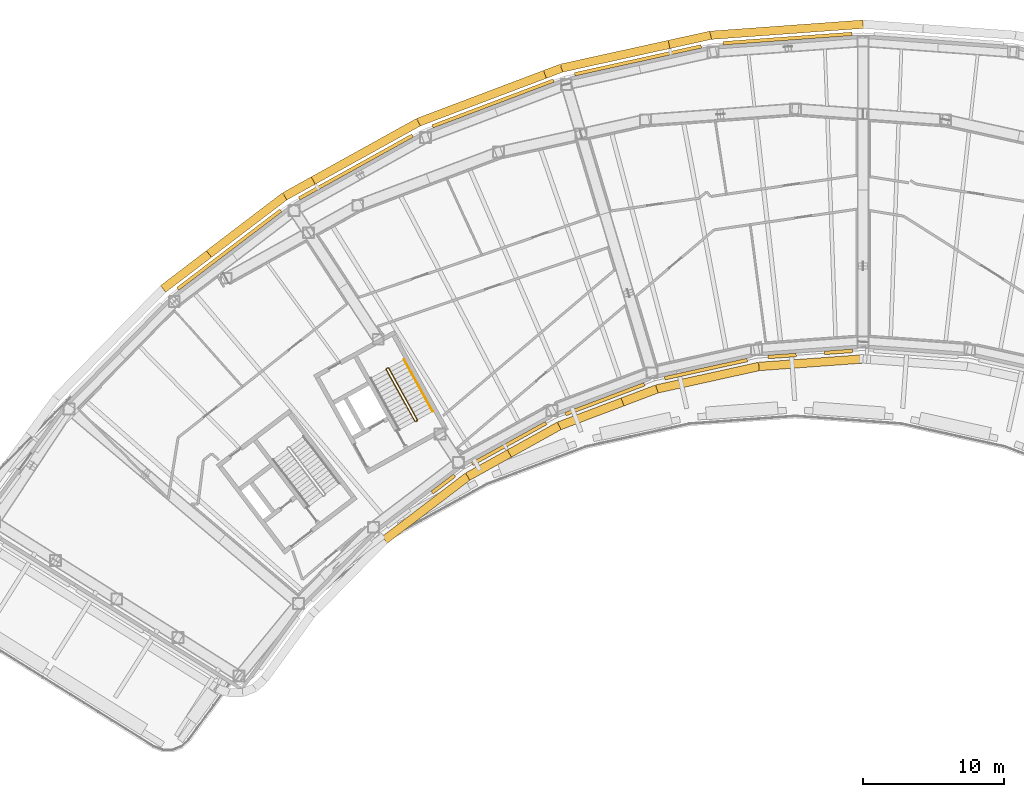
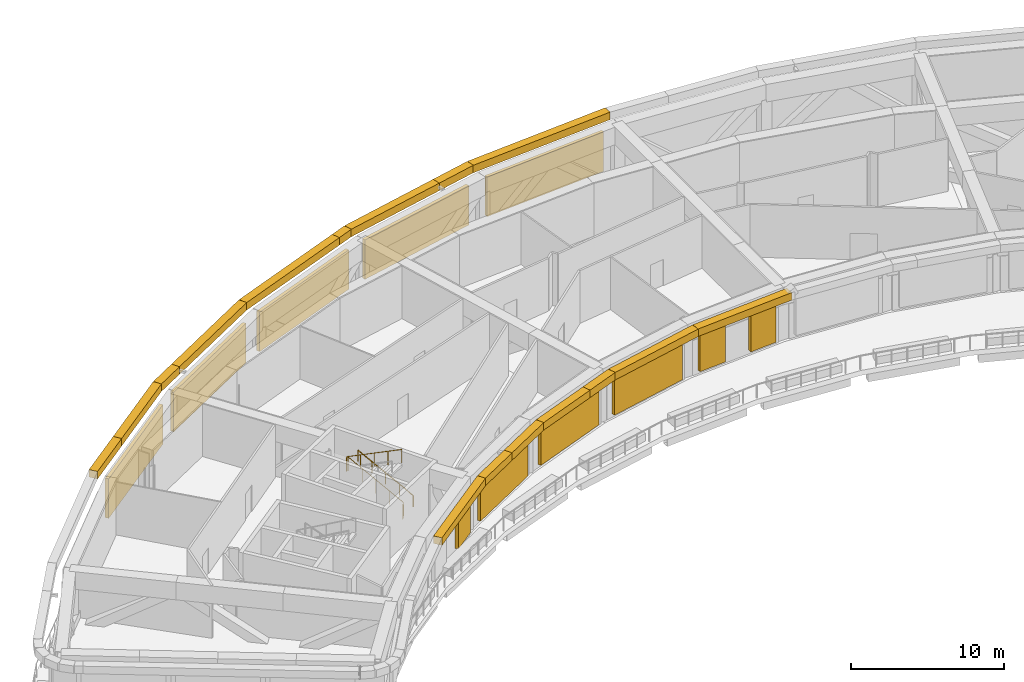
# One storey, part 21 of 25: 16 coverings, 11 shading devices, 2 railings.
"""IFC4 building model written with IfcOpenShell, lengths in metres."""

from ifc_helpers import new_model, si_unit, direction, frame, origin, origin_2d, place, context, subcontext, project, spatial, rectangle, circle, extrude, material, material_profile, profile_set, type_object, element, save


model = new_model("IFC4")

# Units and contexts
model_context = context("Model", 3, precision=1e-05, world=origin(), true_north=direction((0.0, 1.0)))
body_context = subcontext(model_context, "Body", "Model", "MODEL_VIEW")
ifc_project = project(units=[si_unit("LENGTHUNIT", "METRE"), si_unit("AREAUNIT", "SQUARE_METRE"), si_unit("VOLUMEUNIT", "CUBIC_METRE"), si_unit("PLANEANGLEUNIT", "RADIAN"), si_unit("MASSUNIT", "GRAM", prefix="KILO")], contexts=[model_context])

# Site, building, storey
site_placement = place(None, origin())
site = spatial("IfcSite", under=ifc_project, at=site_placement, CompositionType="ELEMENT")
building_placement = place(site_placement, origin())
building = spatial("IfcBuilding", under=site, at=building_placement, Name="Tuul Gate Civic Tower", CompositionType="ELEMENT")
storey_placement = place(building_placement, frame((0.0, 0.0, 60.89990234375)))
storey = spatial("IfcBuildingStorey", under=building, at=storey_placement, Name="Plant and refuge floor 2", CompositionType="ELEMENT", Elevation=60.89990234375)

# Shading devices
ifc_material_1 = material(Name="Aluminium louvre", Category="aluminium")
shading_device_type = type_object("IfcShadingDeviceType", Name="Louvre panel", PredefinedType="USERDEFINED", material=ifc_material_1)
for number, where, z_axis, x_axis, name in (
    (1, (-0.55810546875, 18.894775390625, 0.300048828125), (0.0, 0.0, 1.0), (-0.07223936563, 0.997387323989, 0.0), "Louvre panel"),
    (2, (-11.178466796875, 17.34814453125, 0.300048828125), (0.0, 0.0, 1.0), (-0.215215147882, 0.976566659334, 0.0), "Louvre panel"),
    (3, (-21.46533203125, 14.286865234375, 0.300048828125), (0.0, 0.0, 1.0), (-0.35373363489, 0.935346200905, 0.0), "Louvre panel"),
    (4, (-31.20361328125, 9.775390625, 0.300048828125), (0.0, 0.0, 1.0), (-0.48478912347, 0.874631068374, 0.0), "Louvre panel"),
    (5, (-40.190185546875, 3.907470703125, 0.300048828125), (0.0, 0.0, 1.0), (-0.605807600786, 0.795611180684, 0.0), "Louvre panel"),
):
    element("IfcShadingDevice", number, at=place(storey_placement, frame(where, z_axis=z_axis, x_axis=x_axis)), inside=storey, type_object=shading_device_type, Name=name, ObjectType="LOUVRE", PredefinedType="USERDEFINED", context=body_context, shape_type="SweptSolid", body=[
        extrude(rectangle(XDim=0.25, YDim=9.199951171875, at=origin_2d()), origin(), (0.0, 0.0, 1.0), 3.14990234375),
    ])
shading_device_placement = place(storey_placement, frame((-24.993896484375, -12.73876953125, 0.300048828125), z_axis=(0.0, 0.0, 1.0), x_axis=(0.605851052715, -0.795578092914, 0.0)))
element("IfcShadingDevice", 6, at=shading_device_placement, inside=storey, type_object=shading_device_type, Name="Louvre panel", ObjectType="LOUVRE", PredefinedType="USERDEFINED", context=body_context, shape_type="SweptSolid", body=[
    extrude(rectangle(XDim=0.25, YDim=2.0, at=origin_2d()), origin(), (0.0, 0.0, 1.0), 3.14990234375),
])
for number, where, z_axis, x_axis, name in (
    (7, (-20.31982421875, -9.85986328125, 0.300048828125), (0.0, 0.0, 1.0), (0.48480794476, -0.874620635875, 0.0), "Louvre panel"),
    (8, (-13.52490234375, -6.7119140625, 0.300048828125), (0.0, 0.0, 1.0), (0.353684769481, -0.935364679597, 0.0), "Louvre panel"),
    (9, (-6.34716796875, -4.576171875, 0.300048828125), (0.0, 0.0, 1.0), (0.215241961183, -0.976560749849, 0.0), "Louvre panel"),
):
    element("IfcShadingDevice", number, at=place(storey_placement, frame(where, z_axis=z_axis, x_axis=x_axis)), inside=storey, type_object=shading_device_type, Name=name, ObjectType="LOUVRE", PredefinedType="USERDEFINED", context=body_context, shape_type="SweptSolid", body=[
        extrude(rectangle(XDim=0.25, YDim=6.0, at=origin_2d()), origin(), (0.0, 0.0, 1.0), 3.14990234375),
    ])
for number, where, z_axis, x_axis, name in (
    (10, (-0.93798828125, -3.6416015625, 0.300048828125), (0.0, 0.0, 1.0), (0.072276176045, -0.997384657179, 0.0), "Louvre panel"),
    (11, (3.06494140625, -3.3515625, 0.300048828125), (0.0, 0.0, 1.0), (0.072276176045, -0.997384657179, 0.0), "Louvre panel"),
):
    element("IfcShadingDevice", number, at=place(storey_placement, frame(where, z_axis=z_axis, x_axis=x_axis)), inside=storey, type_object=shading_device_type, Name=name, ObjectType="LOUVRE", PredefinedType="USERDEFINED", context=body_context, shape_type="SweptSolid", body=[
        extrude(rectangle(XDim=0.25, YDim=2.0, at=origin_2d()), origin(), (0.0, 0.0, 1.0), 3.14990234375),
    ])

# Railings
ifc_material_2 = material(Name="Painted steel", Category="steel")
railing_type_1 = type_object("IfcRailingType", Name="Stair guard", PredefinedType="GUARDRAIL", material=ifc_material_2)
railing_1_placement = place(storey_placement, frame((-26.857666015625, -8.247314453125, 0.0)))
element("IfcRailing", 12, at=railing_1_placement, inside=storey, type_object=railing_type_1, Name="Plant and refuge floor 2 ST-2 stair guard 1", PredefinedType="GUARDRAIL", context=body_context, shape_type="SweptSolid", body=[
    extrude(circle(Radius=0.02392578125, at=origin_2d()), frame((0.0, 0.0, 1.076171875), z_axis=(-0.874616555828, -0.48481530532, 0.0), x_axis=(0.48481530532, -0.874616555828, 0.0)), (0.0, 0.0, 1.0), 0.10009765625),
    extrude(circle(Radius=0.02392578125, at=origin_2d()), frame((-0.087646484375, -0.048583984375, 1.076171875), z_axis=(0.490435707169, 0.534104639999, 0.688625479244), x_axis=(-0.736576986774, 0.676353711126, 0.0)), (0.0, 0.0, 1.0), 0.218017578125),
    extrude(circle(Radius=0.02392578125, at=origin_2d()), frame((0.019287109375, 0.06787109375, 1.22607421875), z_axis=(-0.433565959627, 0.782332053545, 0.447188010403), x_axis=(-0.874661316952, -0.484734546558, 0.0)), (0.0, 0.0, 1.0), 4.69580078125),
    extrude(circle(Radius=0.02392578125, at=origin_2d()), frame((-2.0166015625, 3.741455078125, 3.326171875), z_axis=(-0.961000426733, 0.276546885391, 0.0), x_axis=(-0.276546885391, -0.961000426733, 0.0)), (0.0, 0.0, 1.0), 0.070556640625),
    extrude(circle(Radius=0.02392578125, at=origin_2d()), frame((-2.08447265625, 3.760986328125, 3.326171875), z_axis=(-0.874616555828, -0.48481530532, 0.0), x_axis=(0.48481530532, -0.874616555828, 0.0)), (0.0, 0.0, 1.0), 0.10009765625),
    extrude(circle(Radius=0.02392578125, at=origin_2d()), frame((-2.172119140625, 3.71240234375, 3.326171875), z_axis=(-0.117709570447, -0.409040757305, 0.904892322815), x_axis=(0.961000426733, -0.276546885391, 0.0)), (0.0, 0.0, 1.0), 0.166015625),
    extrude(circle(Radius=0.02392578125, at=origin_2d()), frame((-2.191650390625, 3.64453125, 3.47607421875), z_axis=(0.433608177227, -0.782314417595, 0.447177929536), x_axis=(0.874636671229, 0.484779014956, 0.0)), (0.0, 0.0, 1.0), 4.69580078125),
    extrude(circle(Radius=0.02099609375, at=origin_2d()), origin(), (0.0, 0.0, 1.0), 1.052001953125),
    extrude(circle(Radius=0.02099609375, at=origin_2d()), frame((-0.087646484375, -0.048583984375, 0.0)), (0.0, 0.0, 1.0), 1.052001953125),
    extrude(circle(Radius=0.02099609375, at=origin_2d()), frame((0.019287109375, 0.06787109375, 0.150146484375)), (0.0, 0.0, 1.0), 1.052001953125),
    extrude(circle(Radius=0.02099609375, at=origin_2d()), frame((-0.48974609375, 0.986328125, 0.675048828125)), (0.0, 0.0, 1.0), 1.052001953125),
    extrude(circle(Radius=0.02099609375, at=origin_2d()), frame((-0.99853515625, 1.90478515625, 1.2001953125)), (0.0, 0.0, 1.0), 1.052001953125),
    extrude(circle(Radius=0.02099609375, at=origin_2d()), frame((-1.507568359375, 2.822998046875, 1.72509765625)), (0.0, 0.0, 1.0), 1.052001953125),
    extrude(circle(Radius=0.02099609375, at=origin_2d()), frame((-2.0166015625, 3.741455078125, 2.25)), (0.0, 0.0, 1.0), 1.052001953125),
    extrude(circle(Radius=0.02099609375, at=origin_2d()), frame((-2.08447265625, 3.760986328125, 2.25)), (0.0, 0.0, 1.0), 1.052001953125),
    extrude(circle(Radius=0.02099609375, at=origin_2d()), frame((-2.172119140625, 3.71240234375, 2.25)), (0.0, 0.0, 1.0), 1.052001953125),
    extrude(circle(Radius=0.02099609375, at=origin_2d()), frame((-2.191650390625, 3.64453125, 2.400146484375)), (0.0, 0.0, 1.0), 1.052001953125),
    extrude(circle(Radius=0.02099609375, at=origin_2d()), frame((-1.6826171875, 2.72607421875, 2.925048828125)), (0.0, 0.0, 1.0), 1.052001953125),
    extrude(circle(Radius=0.02099609375, at=origin_2d()), frame((-1.173583984375, 1.8076171875, 3.4501953125)), (0.0, 0.0, 1.0), 1.052001953125),
    extrude(circle(Radius=0.02099609375, at=origin_2d()), frame((-0.66455078125, 0.889404296875, 3.97509765625)), (0.0, 0.0, 1.0), 1.052001953125),
    extrude(circle(Radius=0.02099609375, at=origin_2d()), frame((-0.155517578125, -0.029052734375, 4.5)), (0.0, 0.0, 1.0), 1.052001953125),
])
ifc_material_3 = material(Name="Painted steel", Category="steel")
railing_type_2 = type_object("IfcRailingType", Name="Stair handrail", PredefinedType="HANDRAIL", material=ifc_material_3)
railing_2_placement = place(storey_placement, frame((-25.744873046875, -7.573486328125, 0.150146484375)))
element("IfcRailing", 13, at=railing_2_placement, inside=storey, type_object=railing_type_2, Name="Plant and refuge floor 2 ST-2 stair handrail 1", PredefinedType="HANDRAIL", context=body_context, shape_type="SweptSolid", body=[
    extrude(circle(Radius=0.02392578125, at=origin_2d()), frame((0.0, 0.0, 0.8759765625), z_axis=(-0.433608177227, 0.782314417595, 0.447177929536), x_axis=(-0.874636671229, -0.484779014956, 0.0)), (0.0, 0.0, 1.0), 4.69580078125),
    extrude(circle(Radius=0.02099609375, at=origin_2d()), origin(), (0.0, 0.0, 1.0), 0.851806640625),
    extrude(circle(Radius=0.02099609375, at=origin_2d()), frame((-0.509033203125, 0.91845703125, 0.52490234375)), (0.0, 0.0, 1.0), 0.851806640625),
    extrude(circle(Radius=0.02099609375, at=origin_2d()), frame((-1.01806640625, 1.8369140625, 1.0498046875)), (0.0, 0.0, 1.0), 0.851806640625),
    extrude(circle(Radius=0.02099609375, at=origin_2d()), frame((-1.527099609375, 2.755126953125, 1.574951171875)), (0.0, 0.0, 1.0), 0.851806640625),
    extrude(circle(Radius=0.02099609375, at=origin_2d()), frame((-2.0361328125, 3.673583984375, 2.099853515625)), (0.0, 0.0, 1.0), 0.851806640625),
])

# Coverings
ifc_material_4 = material(Name="Terracotta baguette", Category="masonry")
ifc_material_profile = material_profile(ifc_material_4, rectangle(XDim=0.60009765625, YDim=0.60009765625, at=origin_2d()), Name="Terracotta baguette screen frame")
ifc_profile_set = profile_set([ifc_material_profile], Name="Terracotta baguette")
covering_type = type_object("IfcCoveringType", Name="Terracotta baguette screen frame", PredefinedType="CLADDING", material=ifc_profile_set)
covering_1_placement = place(storey_placement, frame((-8.969970703125, 18.474853515625, 4.150146484375), z_axis=(-0.976565835511, -0.21521888605, 0.0), x_axis=(0.21521888605, -0.976565835511, 0.0)))
element("IfcCovering", 14, at=covering_1_placement, inside=storey, type_object=covering_type, Name="Baguette 87", PredefinedType="CLADDING", context=body_context, shape_type="SweptSolid", body=[
    extrude(rectangle(XDim=0.60009765625, YDim=0.60009765625, at=origin_2d()), origin(), (0.0, 0.0, 1.0), 7.824951171875),
])
covering_2_placement = place(storey_placement, frame((-16.611572265625, 16.790771484375, 4.150146484375), z_axis=(-0.935303764022, -0.353845826606, 0.0), x_axis=(0.353845826606, -0.935303764022, 0.0)))
element("IfcCovering", 15, at=covering_2_placement, inside=storey, type_object=covering_type, Name="Baguette 88", PredefinedType="CLADDING", context=body_context, shape_type="SweptSolid", body=[
    extrude(rectangle(XDim=0.60009765625, YDim=0.60009765625, at=origin_2d()), origin(), (0.0, 0.0, 1.0), 1.24755859375),
])
covering_3_placement = place(storey_placement, frame((-34.2314453125, 8.8115234375, 4.150146484375), z_axis=(-0.874665229459, -0.484727486714, 0.0), x_axis=(0.484727486714, -0.874665229459, 0.0)))
element("IfcCovering", 16, at=covering_3_placement, inside=storey, type_object=covering_type, Name="Baguette 105", PredefinedType="CLADDING", context=body_context, shape_type="SweptSolid", body=[
    extrude(rectangle(XDim=0.60009765625, YDim=0.60009765625, at=origin_2d()), origin(), (0.0, 0.0, 1.0), 2.310302734375),
])
covering_4_placement = place(storey_placement, frame((-36.252197265625, 7.691650390625, 4.150146484375), z_axis=(-0.795611536996, -0.60580713284, 0.0), x_axis=(0.60580713284, -0.795611536996, 0.0)))
element("IfcCovering", 17, at=covering_4_placement, inside=storey, type_object=covering_type, Name="Baguette 106", PredefinedType="CLADDING", context=body_context, shape_type="SweptSolid", body=[
    extrude(rectangle(XDim=0.60009765625, YDim=0.60009765625, at=origin_2d()), origin(), (0.0, 0.0, 1.0), 6.761962890625),
])
covering_5_placement = place(storey_placement, frame((-20.305908203125, -10.566650390625, 4.150146484375), z_axis=(0.874630119213, 0.484790835893, 0.0), x_axis=(-0.484790835893, 0.874630119213, 0.0)))
element("IfcCovering", 18, at=covering_5_placement, inside=storey, type_object=covering_type, Name="Baguette 194", PredefinedType="CLADDING", context=body_context, shape_type="SweptSolid", body=[
    extrude(rectangle(XDim=0.60009765625, YDim=0.60009765625, at=origin_2d()), origin(), (0.0, 0.0, 1.0), 4.039306640625),
])
covering_6_placement = place(storey_placement, frame((-16.77294921875, -8.6083984375, 4.150146484375), z_axis=(0.935356130201, 0.353707378628, 0.0), x_axis=(-0.353707378628, 0.935356130201, 0.0)))
element("IfcCovering", 19, at=covering_6_placement, inside=storey, type_object=covering_type, Name="Baguette 195", PredefinedType="CLADDING", context=body_context, shape_type="SweptSolid", body=[
    extrude(rectangle(XDim=0.60009765625, YDim=0.60009765625, at=origin_2d()), origin(), (0.0, 0.0, 1.0), 4.812255859375),
])
covering_7_placement = place(storey_placement, frame((4.80810546875, 19.909912109375, 4.150146484375), z_axis=(-0.997388438103, -0.072223981735, 0.0), x_axis=(0.072223981735, -0.997388438103, 0.0)))
element("IfcCovering", 20, at=covering_7_placement, inside=storey, type_object=covering_type, Name="Baguette 377", PredefinedType="CLADDING", context=body_context, shape_type="SweptSolid", body=[
    extrude(rectangle(XDim=0.60009765625, YDim=0.60009765625, at=origin_2d()), origin(), (0.0, 0.0, 1.0), 10.850830078125),
])
covering_8_placement = place(storey_placement, frame((-6.014404296875, 19.126220703125, 4.150146484375), z_axis=(-0.976565178997, -0.21522186499, 0.0), x_axis=(0.21522186499, -0.976565178997, 0.0)))
element("IfcCovering", 21, at=covering_8_placement, inside=storey, type_object=covering_type, Name="Baguette 378", PredefinedType="CLADDING", context=body_context, shape_type="SweptSolid", body=[
    extrude(rectangle(XDim=0.60009765625, YDim=0.60009765625, at=origin_2d()), origin(), (0.0, 0.0, 1.0), 3.026611328125),
])
covering_9_placement = place(storey_placement, frame((-17.7783203125, 16.349365234375, 4.150146484375), z_axis=(-0.935350828324, -0.353721398779, 0.0), x_axis=(0.353721398779, -0.935350828324, 0.0)))
element("IfcCovering", 22, at=covering_9_placement, inside=storey, type_object=covering_type, Name="Baguette 379", PredefinedType="CLADDING", context=body_context, shape_type="SweptSolid", body=[
    extrude(rectangle(XDim=0.60009765625, YDim=0.60009765625, at=origin_2d()), origin(), (0.0, 0.0, 1.0), 9.603515625),
])
covering_10_placement = place(storey_placement, frame((-26.760986328125, 12.952392578125, 4.150146484375), z_axis=(-0.874623375434, -0.484803002409, 0.0), x_axis=(0.484803002409, -0.874623375434, 0.0)))
element("IfcCovering", 23, at=covering_10_placement, inside=storey, type_object=covering_type, Name="Baguette 380", PredefinedType="CLADDING", context=body_context, shape_type="SweptSolid", body=[
    extrude(rectangle(XDim=0.60009765625, YDim=0.60009765625, at=origin_2d()), origin(), (0.0, 0.0, 1.0), 8.541259765625),
])
covering_11_placement = place(storey_placement, frame((-41.632080078125, 3.59521484375, 4.150146484375), z_axis=(-0.795608483845, -0.605811142547, 0.0), x_axis=(0.605811142547, -0.795608483845, 0.0)))
element("IfcCovering", 24, at=covering_11_placement, inside=storey, type_object=covering_type, Name="Baguette 381", PredefinedType="CLADDING", context=body_context, shape_type="SweptSolid", body=[
    extrude(rectangle(XDim=0.60009765625, YDim=0.60009765625, at=origin_2d()), origin(), (0.0, 0.0, 1.0), 4.089111328125),
])
covering_12_placement = place(storey_placement, frame((-29.162353515625, -16.69873046875, 4.150146484375), z_axis=(0.795570717168, 0.605860738111, 0.0), x_axis=(-0.605860738111, 0.795570717168, 0.0)))
element("IfcCovering", 25, at=covering_12_placement, inside=storey, type_object=covering_type, Name="Baguette 386", PredefinedType="CLADDING", context=body_context, shape_type="SweptSolid", body=[
    extrude(rectangle(XDim=0.60009765625, YDim=0.60009765625, at=origin_2d()), origin(), (0.0, 0.0, 1.0), 7.417724609375),
])
covering_13_placement = place(storey_placement, frame((-23.260986328125, -12.20458984375, 4.150146484375), z_axis=(0.874630637943, 0.48478990003, 0.0), x_axis=(-0.48478990003, 0.874630637943, 0.0)))
element("IfcCovering", 26, at=covering_13_placement, inside=storey, type_object=covering_type, Name="Baguette 387", PredefinedType="CLADDING", context=body_context, shape_type="SweptSolid", body=[
    extrude(rectangle(XDim=0.60009765625, YDim=0.60009765625, at=origin_2d()), origin(), (0.0, 0.0, 1.0), 3.378662109375),
])
covering_14_placement = place(storey_placement, frame((-12.271728515625, -6.90625, 4.150146484375), z_axis=(0.935359158209, 0.353699371155, 0.0), x_axis=(-0.353699371155, 0.935359158209, 0.0)))
element("IfcCovering", 27, at=covering_14_placement, inside=storey, type_object=covering_type, Name="Baguette 388", PredefinedType="CLADDING", context=body_context, shape_type="SweptSolid", body=[
    extrude(rectangle(XDim=0.60009765625, YDim=0.60009765625, at=origin_2d()), origin(), (0.0, 0.0, 1.0), 2.605712890625),
])
covering_15_placement = place(storey_placement, frame((-9.83447265625, -5.984619140625, 4.150146484375), z_axis=(0.976565804128, 0.215219028452, 0.0), x_axis=(-0.215219028452, 0.976565804128, 0.0)))
element("IfcCovering", 28, at=covering_15_placement, inside=storey, type_object=covering_type, Name="Baguette 389", PredefinedType="CLADDING", context=body_context, shape_type="SweptSolid", body=[
    extrude(rectangle(XDim=0.60009765625, YDim=0.60009765625, at=origin_2d()), origin(), (0.0, 0.0, 1.0), 7.417724609375),
])
covering_16_placement = place(storey_placement, frame((-2.590576171875, -4.38818359375, 4.150146484375), z_axis=(0.997384830366, 0.072273786091, 0.0), x_axis=(-0.072273786091, 0.997384830366, 0.0)))
element("IfcCovering", 29, at=covering_16_placement, inside=storey, type_object=covering_type, Name="Baguette 390", PredefinedType="CLADDING", context=body_context, shape_type="SweptSolid", body=[
    extrude(rectangle(XDim=0.60009765625, YDim=0.60009765625, at=origin_2d()), origin(), (0.0, 0.0, 1.0), 7.41796875),
])

save(model, "model.ifc")
